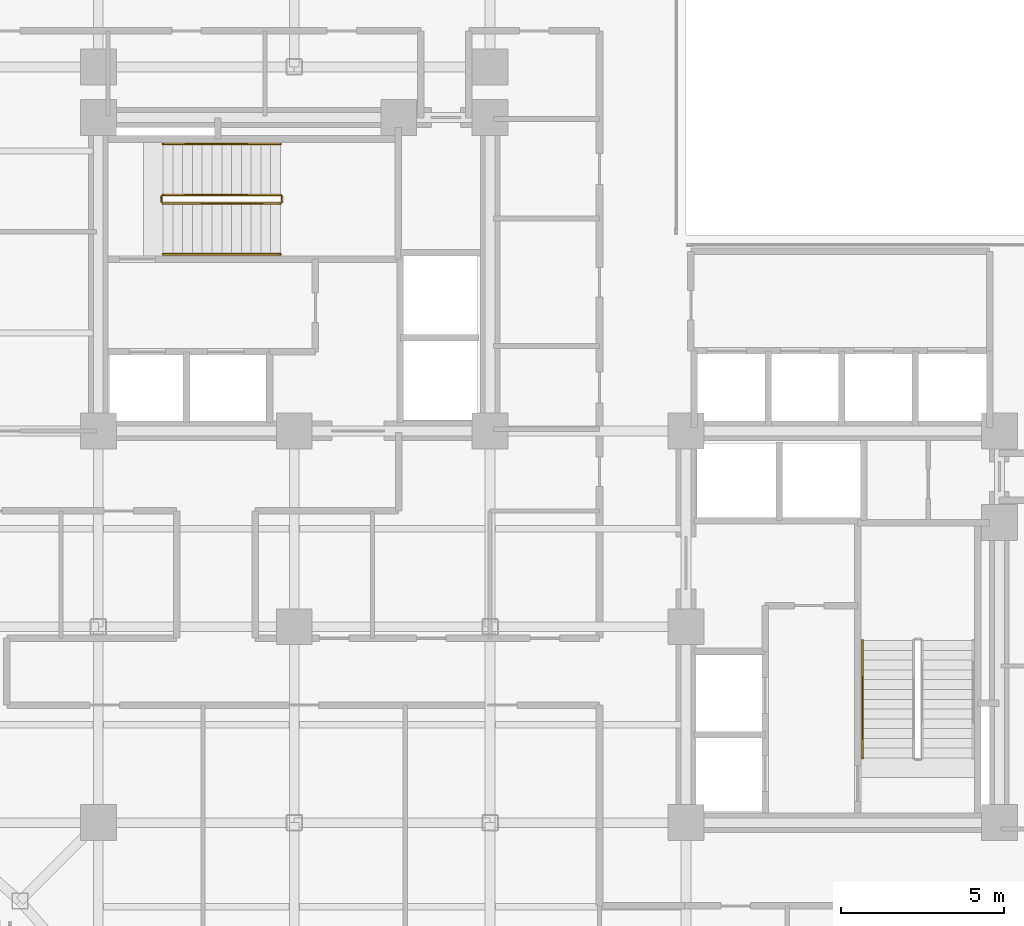
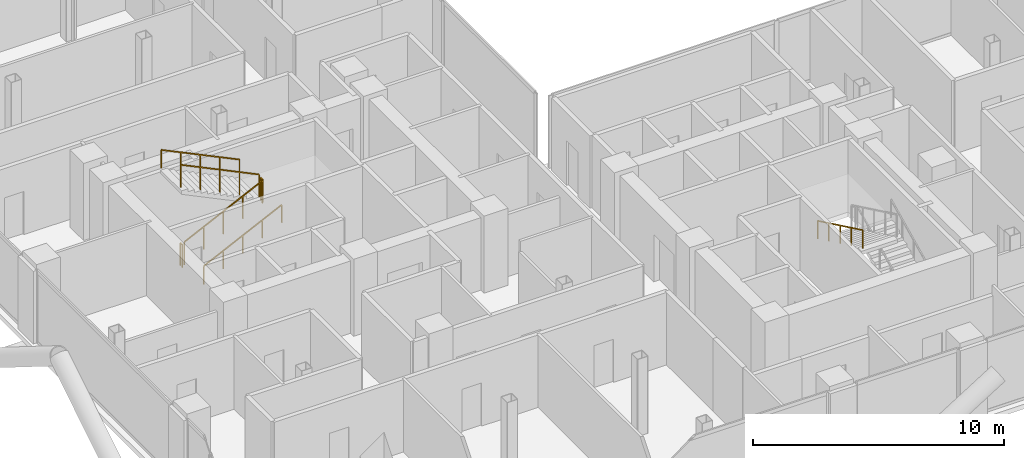
# One storey, part 26 of 28: 7 railings.
"""IFC4 building model written with IfcOpenShell, lengths in metres."""

from ifc_helpers import new_model, si_unit, direction, frame, origin, origin_2d, place, context, subcontext, project, spatial, rectangle, extrude, material, type_object, element, save


model = new_model("IFC4")

# Units and contexts
model_context = context("Model", 3, precision=1e-05, world=origin(), true_north=direction((0.0, 1.0)))
body_context = subcontext(model_context, "Body", "Model", "MODEL_VIEW")
ifc_project = project(units=[si_unit("LENGTHUNIT", "METRE"), si_unit("AREAUNIT", "SQUARE_METRE"), si_unit("VOLUMEUNIT", "CUBIC_METRE"), si_unit("PLANEANGLEUNIT", "RADIAN"), si_unit("MASSUNIT", "GRAM", prefix="KILO"), si_unit("THERMODYNAMICTEMPERATUREUNIT", "KELVIN"), si_unit("POWERUNIT", "WATT")], contexts=[model_context])

# Site, building, storey
site_placement = place(None, origin())
site = spatial("IfcSite", under=ifc_project, at=site_placement, CompositionType="ELEMENT")
building_placement = place(site_placement, origin())
building = spatial("IfcBuilding", under=site, at=building_placement, Name="Svarakhadi Broadcast Tower", CompositionType="ELEMENT")
storey_placement = place(building_placement, frame((0.0, 0.0, 153.14990234375)))
storey = spatial("IfcBuildingStorey", under=building, at=storey_placement, Name="L37", CompositionType="ELEMENT", Elevation=153.14990234375)

# Railings
ifc_material = material(Name="Anodised Bronze Aluminium AA 6063-T6", Category="aluminium")
railing_type_1 = type_object("IfcRailingType", Name="Guard_Stair_GR01", PredefinedType="GUARDRAIL", material=ifc_material)
railing_1_placement = place(storey_placement, frame((7.97998046875, 24.969970703125, 0.144287109375)))
element("IfcRailing", 1, at=railing_1_placement, inside=storey, type_object=railing_type_1, Name="L37 ST-01 stair guard 1", PredefinedType="GUARDRAIL", context=body_context, shape_type="SweptSolid", body=[
    extrude(rectangle(XDim=0.048095703125, YDim=0.048095703125, at=origin_2d()), frame((0.0, 0.0, 1.09619140625), z_axis=(0.901262522062, 0.0, 0.433273431364), x_axis=(0.0, 1.0, 0.0)), (0.0, 0.0, 1.0), 3.994384765625),
    extrude(rectangle(XDim=0.0419921875, YDim=0.0419921875, at=origin_2d()), origin(), (0.0, 0.0, 1.0), 1.072021484375),
    extrude(rectangle(XDim=0.0419921875, YDim=0.0419921875, at=origin_2d()), frame((0.89990234375, 0.0, 0.4326171875)), (0.0, 0.0, 1.0), 1.072021484375),
    extrude(rectangle(XDim=0.0419921875, YDim=0.0419921875, at=origin_2d()), frame((1.800048828125, 0.0, 0.865234375)), (0.0, 0.0, 1.0), 1.072021484375),
    extrude(rectangle(XDim=0.0419921875, YDim=0.0419921875, at=origin_2d()), frame((2.7001953125, 0.0, 1.298095703125)), (0.0, 0.0, 1.0), 1.072021484375),
    extrude(rectangle(XDim=0.0419921875, YDim=0.0419921875, at=origin_2d()), frame((3.60009765625, 0.0, 1.730712890625)), (0.0, 0.0, 1.0), 1.072021484375),
])
railing_2_placement = place(storey_placement, frame((11.6298828125, 25.02001953125, 1.875)))
element("IfcRailing", 2, at=railing_2_placement, inside=storey, type_object=railing_type_1, Name="L37 ST-01 stair guard 2", PredefinedType="GUARDRAIL", context=body_context, shape_type="SweptSolid", body=[
    extrude(rectangle(XDim=0.048095703125, YDim=0.048095703125, at=origin_2d()), frame((0.0, 0.0, 1.09619140625), z_axis=(0.0, 1.0, 0.0), x_axis=(-1.0, 0.0, 0.0)), (0.0, 0.0, 1.0), 0.159912109375),
    extrude(rectangle(XDim=0.0419921875, YDim=0.0419921875, at=origin_2d()), origin(), (0.0, 0.0, 1.0), 1.072021484375),
    extrude(rectangle(XDim=0.0419921875, YDim=0.0419921875, at=origin_2d()), frame((0.0, 0.159912109375, 0.0)), (0.0, 0.0, 1.0), 1.072021484375),
])
railing_3_placement = place(storey_placement, frame((11.580078125, 25.22998046875, 2.019287109375)))
element("IfcRailing", 3, at=railing_3_placement, inside=storey, type_object=railing_type_1, Name="L37 ST-01 stair guard 3", PredefinedType="GUARDRAIL", context=body_context, shape_type="SweptSolid", body=[
    extrude(rectangle(XDim=0.048095703125, YDim=0.048095703125, at=origin_2d()), frame((0.0, 0.0, 1.09619140625), z_axis=(-0.901262522062, 0.0, 0.433273431364), x_axis=(0.0, -1.0, 0.0)), (0.0, 0.0, 1.0), 3.994384765625),
    extrude(rectangle(XDim=0.0419921875, YDim=0.0419921875, at=origin_2d()), origin(), (0.0, 0.0, 1.0), 1.072021484375),
    extrude(rectangle(XDim=0.0419921875, YDim=0.0419921875, at=origin_2d()), frame((-0.89990234375, 0.0, 0.4326171875)), (0.0, 0.0, 1.0), 1.072021484375),
    extrude(rectangle(XDim=0.0419921875, YDim=0.0419921875, at=origin_2d()), frame((-1.800048828125, 0.0, 0.865234375)), (0.0, 0.0, 1.0), 1.072021484375),
    extrude(rectangle(XDim=0.0419921875, YDim=0.0419921875, at=origin_2d()), frame((-2.7001953125, 0.0, 1.298095703125)), (0.0, 0.0, 1.0), 1.072021484375),
    extrude(rectangle(XDim=0.0419921875, YDim=0.0419921875, at=origin_2d()), frame((-3.60009765625, 0.0, 1.730712890625)), (0.0, 0.0, 1.0), 1.072021484375),
])
railing_4_placement = place(storey_placement, frame((7.929931640625, 25.02001953125, 0.0)))
element("IfcRailing", 4, at=railing_4_placement, inside=storey, type_object=railing_type_1, Name="L37 ST-01 stair guard 4", PredefinedType="GUARDRAIL", context=body_context, shape_type="SweptSolid", body=[
    extrude(rectangle(XDim=0.048095703125, YDim=0.048095703125, at=origin_2d()), frame((0.0, 0.0, 1.09619140625), z_axis=(0.0, 1.0, 0.0), x_axis=(-1.0, 0.0, 0.0)), (0.0, 0.0, 1.0), 0.159912109375),
    extrude(rectangle(XDim=0.0419921875, YDim=0.0419921875, at=origin_2d()), origin(), (0.0, 0.0, 1.0), 1.072021484375),
    extrude(rectangle(XDim=0.0419921875, YDim=0.0419921875, at=origin_2d()), frame((0.0, 0.159912109375, 0.0)), (0.0, 0.0, 1.0), 1.072021484375),
])
railing_type_2 = type_object("IfcRailingType", Name="Handrail_Stair_HR01", PredefinedType="HANDRAIL", material=ifc_material)
railing_5_placement = place(storey_placement, frame((7.97998046875, 23.409912109375, 0.144287109375)))
element("IfcRailing", 5, at=railing_5_placement, inside=storey, type_object=railing_type_2, Name="L37 ST-01 stair handrail 1", PredefinedType="HANDRAIL", context=body_context, shape_type="SweptSolid", body=[
    extrude(rectangle(XDim=0.048095703125, YDim=0.048095703125, at=origin_2d()), frame((0.0, 0.0, 0.8759765625), z_axis=(0.901262522062, 0.0, 0.433273431364), x_axis=(0.0, 1.0, 0.0)), (0.0, 0.0, 1.0), 3.994384765625),
    extrude(rectangle(XDim=0.0419921875, YDim=0.0419921875, at=origin_2d()), origin(), (0.0, 0.0, 1.0), 0.851806640625),
    extrude(rectangle(XDim=0.0419921875, YDim=0.0419921875, at=origin_2d()), frame((0.89990234375, 0.0, 0.4326171875)), (0.0, 0.0, 1.0), 0.851806640625),
    extrude(rectangle(XDim=0.0419921875, YDim=0.0419921875, at=origin_2d()), frame((1.800048828125, 0.0, 0.865234375)), (0.0, 0.0, 1.0), 0.851806640625),
    extrude(rectangle(XDim=0.0419921875, YDim=0.0419921875, at=origin_2d()), frame((2.7001953125, 0.0, 1.298095703125)), (0.0, 0.0, 1.0), 0.851806640625),
    extrude(rectangle(XDim=0.0419921875, YDim=0.0419921875, at=origin_2d()), frame((3.60009765625, 0.0, 1.730712890625)), (0.0, 0.0, 1.0), 0.851806640625),
])
railing_6_placement = place(storey_placement, frame((11.580078125, 26.7900390625, 2.019287109375)))
element("IfcRailing", 6, at=railing_6_placement, inside=storey, type_object=railing_type_2, Name="L37 ST-01 stair handrail 2", PredefinedType="HANDRAIL", context=body_context, shape_type="SweptSolid", body=[
    extrude(rectangle(XDim=0.048095703125, YDim=0.048095703125, at=origin_2d()), frame((0.0, 0.0, 0.8759765625), z_axis=(-0.901262522062, 0.0, 0.433273431364), x_axis=(0.0, -1.0, 0.0)), (0.0, 0.0, 1.0), 3.994384765625),
    extrude(rectangle(XDim=0.0419921875, YDim=0.0419921875, at=origin_2d()), origin(), (0.0, 0.0, 1.0), 0.851806640625),
    extrude(rectangle(XDim=0.0419921875, YDim=0.0419921875, at=origin_2d()), frame((-0.89990234375, 0.0, 0.4326171875)), (0.0, 0.0, 1.0), 0.851806640625),
    extrude(rectangle(XDim=0.0419921875, YDim=0.0419921875, at=origin_2d()), frame((-1.800048828125, 0.0, 0.865234375)), (0.0, 0.0, 1.0), 0.851806640625),
    extrude(rectangle(XDim=0.0419921875, YDim=0.0419921875, at=origin_2d()), frame((-2.7001953125, 0.0, 1.298095703125)), (0.0, 0.0, 1.0), 0.851806640625),
    extrude(rectangle(XDim=0.0419921875, YDim=0.0419921875, at=origin_2d()), frame((-3.60009765625, 0.0, 1.730712890625)), (0.0, 0.0, 1.0), 0.851806640625),
])
railing_7_placement = place(storey_placement, frame((29.409912109375, 11.580078125, 2.019287109375)))
element("IfcRailing", 7, at=railing_7_placement, inside=storey, type_object=railing_type_2, Name="L37 ST-02 stair handrail 2", PredefinedType="HANDRAIL", context=body_context, shape_type="SweptSolid", body=[
    extrude(rectangle(XDim=0.048095703125, YDim=0.048095703125, at=origin_2d()), frame((0.0, 0.0, 0.8759765625), z_axis=(0.0, -0.901262522062, 0.433273431364), x_axis=(1.0, 0.0, 0.0)), (0.0, 0.0, 1.0), 3.994384765625),
    extrude(rectangle(XDim=0.0419921875, YDim=0.0419921875, at=origin_2d()), origin(), (0.0, 0.0, 1.0), 0.851806640625),
    extrude(rectangle(XDim=0.0419921875, YDim=0.0419921875, at=origin_2d()), frame((0.0, -0.89990234375, 0.4326171875)), (0.0, 0.0, 1.0), 0.851806640625),
    extrude(rectangle(XDim=0.0419921875, YDim=0.0419921875, at=origin_2d()), frame((0.0, -1.800048828125, 0.865234375)), (0.0, 0.0, 1.0), 0.851806640625),
    extrude(rectangle(XDim=0.0419921875, YDim=0.0419921875, at=origin_2d()), frame((0.0, -2.7001953125, 1.298095703125)), (0.0, 0.0, 1.0), 0.851806640625),
    extrude(rectangle(XDim=0.0419921875, YDim=0.0419921875, at=origin_2d()), frame((0.0, -3.60009765625, 1.730712890625)), (0.0, 0.0, 1.0), 0.851806640625),
])

save(model, "model.ifc")
